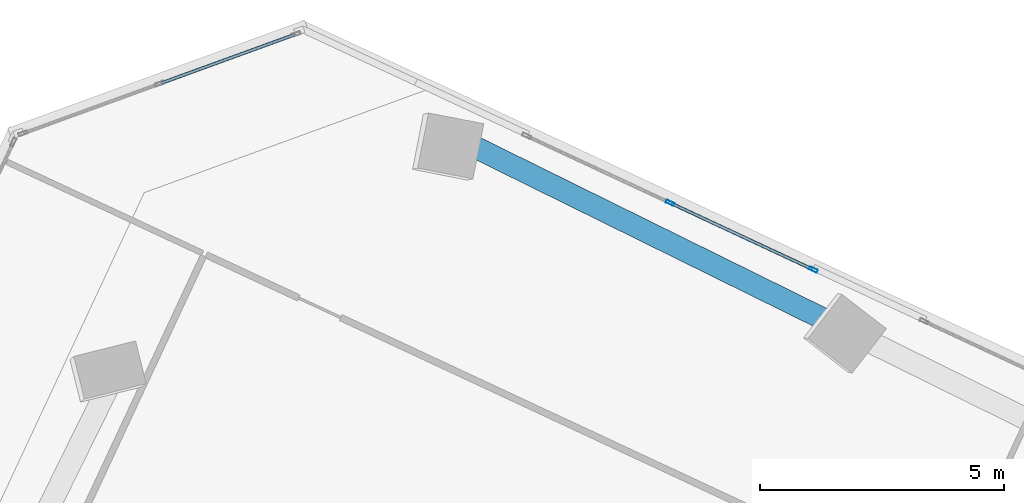
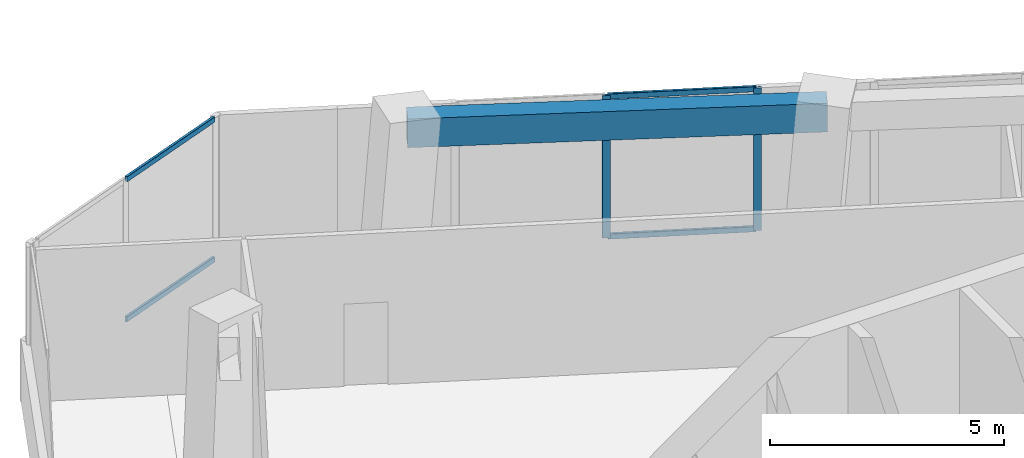
# One storey, part 12 of 23: 6 members, 1 beam, 2 elements without a shape of their own.
"""IFC4 building model written with IfcOpenShell, lengths in metres."""

from ifc_helpers import new_model, si_unit, direction, frame, origin, origin_2d, place, context, subcontext, project, spatial, rectangle, hollow_rectangle, extrude, source, transform, mapped, material, material_profile, profile_set, type_object, element, aggregate, save


model = new_model("IFC4")

# Units and contexts
model_context = context("Model", 3, precision=1e-05, world=origin(), true_north=direction((0.0, 1.0)))
body_context = subcontext(model_context, "Body", "Model", "MODEL_VIEW")
ifc_project = project(units=[si_unit("LENGTHUNIT", "METRE"), si_unit("AREAUNIT", "SQUARE_METRE"), si_unit("VOLUMEUNIT", "CUBIC_METRE"), si_unit("PLANEANGLEUNIT", "RADIAN"), si_unit("MASSUNIT", "GRAM", prefix="KILO")], contexts=[model_context])

# Site, building, storey
site_placement = place(None, origin())
site = spatial("IfcSite", under=ifc_project, at=site_placement, CompositionType="ELEMENT")
building_placement = place(site_placement, origin())
building = spatial("IfcBuilding", under=site, at=building_placement, Name="Torre Montelarca", CompositionType="ELEMENT")
storey_placement = place(building_placement, frame((0.0, 0.0, 158.199951171875)))
storey = spatial("IfcBuildingStorey", under=building, at=storey_placement, Name="L35", CompositionType="ELEMENT", Elevation=158.199951171875)

# Beam
ifc_material_1 = material(Name="Concrete C55/67", Category="concrete")
ifc_material_profile_1 = material_profile(ifc_material_1, rectangle(XDim=0.449951171875, YDim=0.75, at=origin_2d()), Name="RCB450X750", Category="concrete")
ifc_profile_set_1 = profile_set([ifc_material_profile_1], Name="Concrete C55/67")
beam_type = type_object("IfcBeamType", Name="BM-SP-RC750-EXT", PredefinedType="SPANDREL", material=ifc_profile_set_1)
shared_shape_1 = source(origin(), body_context, "Body", "SweptSolid", [
    extrude(rectangle(XDim=0.449951171875, YDim=0.75, at=origin_2d()), origin(), (0.0, 0.0, 1.0), 9.0),
])
beam_placement = place(storey_placement, frame((16.98974609375, 51.1162109375, 3.5849609375), z_axis=(0.896866006126, -0.44230234801, 0.0), x_axis=(0.44230234801, 0.896866006126, 0.0)))
element("IfcBeam", 1, at=beam_placement, inside=storey, type_object=beam_type, Name="L35 Grid Girder X 9.0-18.0 at Y=47.1", PredefinedType="SPANDREL", context=body_context, shape_type="MappedRepresentation", body=[
    mapped(shared_shape_1, transform((0.0, 0.0, 0.0), scale=1.0)),
])

# Curtain wall, members
ifc_material_2 = material(Name="Insulated low-E laminated glass", Category="glass")
curtain_wall_type = type_object("IfcCurtainWallType", Name="CW-SYS-Z2", PredefinedType="USERDEFINED", material=ifc_material_2)
curtain_wall_1_placement = place(storey_placement, origin())
curtain_wall_1 = element("IfcCurtainWall", 2, at=curtain_wall_1_placement, inside=storey, type_object=curtain_wall_type, Name="L35 Curtain Wall Run CW-T3-L35-E09-B1", ObjectType="UNITISED GLAZING", PredefinedType="USERDEFINED")
ifc_material_3 = material(Name="Anodised aluminium AA 6063-T6", Category="aluminium")
ifc_material_profile_2 = material_profile(ifc_material_3, hollow_rectangle(XDim=0.06494140625, YDim=0.139892578125, WallThickness=0.00390625, InnerFilletRadius=0.00390625, OuterFilletRadius=0.008056640625, at=origin_2d()), Name="ALU65X140X4", Category="aluminium")
ifc_profile_set_2 = profile_set([ifc_material_profile_2], Name="Anodised aluminium AA 6063-T6")
member_type_1 = type_object("IfcMemberType", Name="CWT-ALU140", PredefinedType="USERDEFINED", material=ifc_profile_set_2)
shared_shape_2 = source(origin(), body_context, "Body", "SweptSolid", [
    extrude(hollow_rectangle(XDim=0.06494140625, YDim=0.139892578125, WallThickness=0.00390625, InnerFilletRadius=0.00390625, OuterFilletRadius=0.008056640625, at=origin_2d()), origin(), (0.0, 0.0, 1.0), 2.91845703125),
])
member_1_placement = place(storey_placement, frame((13.49169921875, 53.327392578125, 0.032470703125), z_axis=(-0.939705462209, -0.341984859745, 0.0), x_axis=(0.341984859745, -0.939705462209, 0.0)))
member_1 = element("IfcMember", 3, at=member_1_placement, type_object=member_type_1, Name="CW transom 1.1", ObjectType="TRANSOM", PredefinedType="USERDEFINED", context=body_context, shape_type="MappedRepresentation", body=[
    mapped(shared_shape_2, transform((0.0, 0.0, 0.0), scale=1.0)),
])
member_2_placement = place(storey_placement, frame((13.49169921875, 53.327392578125, 3.6875), z_axis=(-0.939705462209, -0.341984859745, 0.0), x_axis=(0.341984859745, -0.939705462209, 0.0)))
member_2 = element("IfcMember", 4, at=member_2_placement, type_object=member_type_1, Name="CW transom 1.2", ObjectType="TRANSOM", PredefinedType="USERDEFINED", context=body_context, shape_type="MappedRepresentation", body=[
    mapped(shared_shape_2, transform((0.0, 0.0, 0.0), scale=1.0)),
])
aggregate(curtain_wall_1, [member_1, member_2])

curtain_wall_2_placement = place(storey_placement, origin())
curtain_wall_2 = element("IfcCurtainWall", 5, at=curtain_wall_2_placement, inside=storey, type_object=curtain_wall_type, Name="L35 Curtain Wall Run CW-T3-L35-E08-B4", ObjectType="UNITISED GLAZING", PredefinedType="USERDEFINED")
ifc_material_profile_3 = material_profile(ifc_material_3, hollow_rectangle(XDim=0.06494140625, YDim=0.179931640625, WallThickness=0.00390625, InnerFilletRadius=0.00390625, OuterFilletRadius=0.008056640625, at=origin_2d()), Name="ALU65X180X4", Category="aluminium")
ifc_profile_set_3 = profile_set([ifc_material_profile_3], Name="Anodised aluminium AA 6063-T6")
member_type_2 = type_object("IfcMemberType", Name="CWM-ALU180", PredefinedType="MULLION", material=ifc_profile_set_3)
shared_shape_3 = source(origin(), body_context, "Body", "SweptSolid", [
    extrude(hollow_rectangle(XDim=0.06494140625, YDim=0.179931640625, WallThickness=0.00390625, InnerFilletRadius=0.00390625, OuterFilletRadius=0.008056640625, at=origin_2d()), origin(), (0.0, 0.0, 1.0), 3.719970703125),
])
member_3_placement = place(storey_placement, frame((24.1337890625, 48.503173828125, 0.0), z_axis=(0.0, 0.0, 1.0), x_axis=(-0.422613251002, -0.906310123566, 0.0)))
member_3 = element("IfcMember", 6, at=member_3_placement, type_object=member_type_2, Name="CW mullion 1", PredefinedType="MULLION", context=body_context, shape_type="MappedRepresentation", body=[
    mapped(shared_shape_3, transform((0.0, 0.0, 0.0), scale=1.0)),
])
member_4_placement = place(storey_placement, frame((21.192138671875, 49.874755859375, 0.0), z_axis=(0.0, 0.0, 1.0), x_axis=(-0.422613251002, -0.906310123566, 0.0)))
member_4 = element("IfcMember", 7, at=member_4_placement, type_object=member_type_2, Name="CW mullion 2", PredefinedType="MULLION", context=body_context, shape_type="MappedRepresentation", body=[
    mapped(shared_shape_3, transform((0.0, 0.0, 0.0), scale=1.0)),
])
shared_shape_4 = source(origin(), body_context, "Body", "SweptSolid", [
    extrude(hollow_rectangle(XDim=0.06494140625, YDim=0.139892578125, WallThickness=0.00390625, InnerFilletRadius=0.00390625, OuterFilletRadius=0.008056640625, at=origin_2d()), origin(), (0.0, 0.0, 1.0), 3.180908203125),
])
member_5_placement = place(storey_placement, frame((24.1044921875, 48.516845703125, 0.032470703125), z_axis=(-0.906312515072, 0.422608122289, 0.0), x_axis=(-0.422608122289, -0.906312515072, 0.0)))
member_5 = element("IfcMember", 8, at=member_5_placement, type_object=member_type_1, Name="CW transom 1.1", ObjectType="TRANSOM", PredefinedType="USERDEFINED", context=body_context, shape_type="MappedRepresentation", body=[
    mapped(shared_shape_4, transform((0.0, 0.0, 0.0), scale=1.0)),
])
member_6_placement = place(storey_placement, frame((24.1044921875, 48.516845703125, 3.6875), z_axis=(-0.906312515072, 0.422608122289, 0.0), x_axis=(-0.422608122289, -0.906312515072, 0.0)))
member_6 = element("IfcMember", 9, at=member_6_placement, type_object=member_type_1, Name="CW transom 1.2", ObjectType="TRANSOM", PredefinedType="USERDEFINED", context=body_context, shape_type="MappedRepresentation", body=[
    mapped(shared_shape_4, transform((0.0, 0.0, 0.0), scale=1.0)),
])
aggregate(curtain_wall_2, [member_3, member_4, member_5, member_6])

save(model, "model.ifc")
